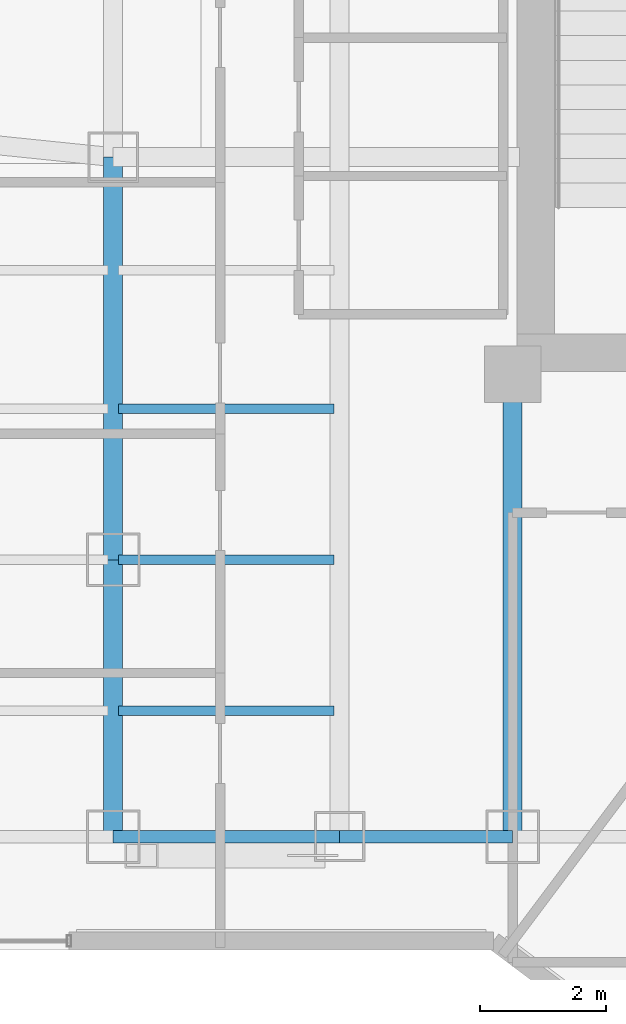
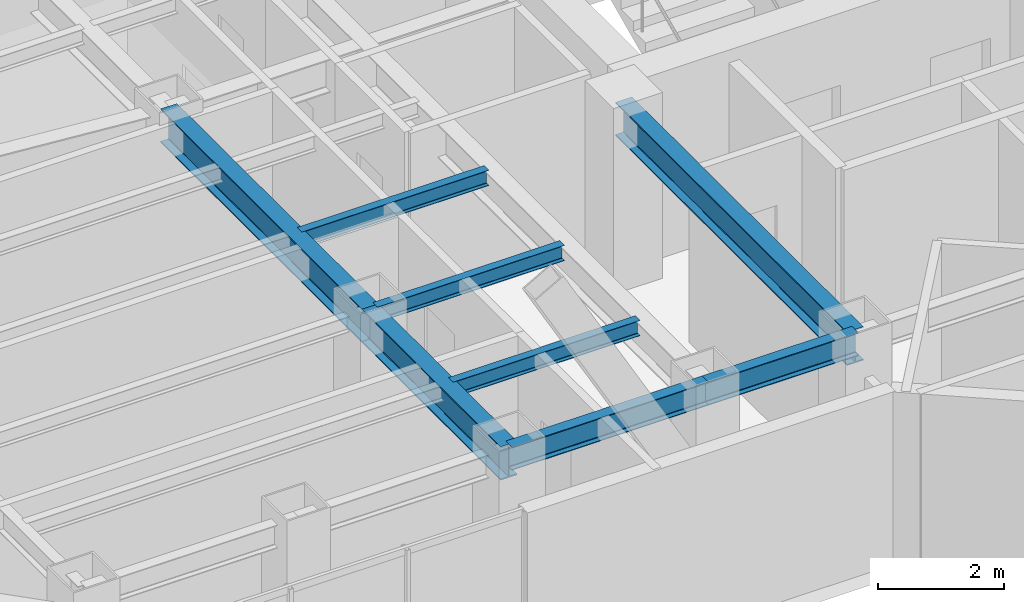
# One storey, part 5 of 29: 8 beams.
"""IFC4 building model written with IfcOpenShell, lengths in metres."""

from ifc_helpers import new_model, si_unit, direction, frame, origin, origin_2d, place, context, subcontext, project, spatial, i_section, extrude, material, material_profile, profile_set, type_object, element, save


model = new_model("IFC4")

# Units and contexts
model_context = context("Model", 3, precision=1e-05, world=origin(), true_north=direction((0.0, 1.0)))
body_context = subcontext(model_context, "Body", "Model", "MODEL_VIEW")
ifc_project = project(units=[si_unit("LENGTHUNIT", "METRE"), si_unit("AREAUNIT", "SQUARE_METRE"), si_unit("VOLUMEUNIT", "CUBIC_METRE"), si_unit("PLANEANGLEUNIT", "RADIAN"), si_unit("MASSUNIT", "GRAM", prefix="KILO")], contexts=[model_context])

# Site, building, storey
site_placement = place(None, origin())
site = spatial("IfcSite", under=ifc_project, at=site_placement, CompositionType="ELEMENT")
building_placement = place(site_placement, origin())
building = spatial("IfcBuilding", under=site, at=building_placement, Name="Hatsunagi Terrace Concourse", CompositionType="ELEMENT")
storey_placement = place(building_placement, frame((0.0, 0.0, 149.25)))
storey = spatial("IfcBuildingStorey", under=building, at=storey_placement, Name="L39", CompositionType="ELEMENT", Elevation=149.25)

# Beams
ifc_material_1 = material(Name="Steel SN490B", Category="steel")
ifc_material_profile_1 = material_profile(ifc_material_1, i_section(OverallWidth=0.14990234375, OverallDepth=0.300048828125, WebThickness=0.006591796875, FlangeThickness=0.009033203125, FilletRadius=0.010986328125, at=origin_2d()), Name="H-300x150x6.5x9")
ifc_profile_set_1 = profile_set([ifc_material_profile_1], Name="Steel SN490B")
beam_type_1 = type_object("IfcBeamType", Name="OfficeJoist_H_300x150", PredefinedType="JOIST", material=ifc_profile_set_1)
for number, where, z_axis, x_axis, name in (
    (1, (19.284912109375, 27.199951171875, 3.199951171875), (1.0, 0.0, 0.0), (0.0, 1.0, 0.0), "Beam J-03 J-L39-W-19-272"),
    (2, (19.284912109375, 29.60009765625, 3.199951171875), (1.0, 0.0, 0.0), (0.0, 1.0, 0.0), "Beam J-03 J-L39-W-19-296"),
    (3, (19.284912109375, 32.0, 3.199951171875), (1.0, 0.0, 0.0), (0.0, 1.0, 0.0), "Beam J-03 J-L39-W-19-320"),
):
    element("IfcBeam", number, at=place(storey_placement, frame(where, z_axis=z_axis, x_axis=x_axis)), inside=storey, type_object=beam_type_1, Name=name, PredefinedType="JOIST", context=body_context, shape_type="SweptSolid", body=[
        extrude(i_section(OverallWidth=0.14990234375, OverallDepth=0.300048828125, WebThickness=0.006591796875, FlangeThickness=0.009033203125, FilletRadius=0.010986328125, at=origin_2d()), origin(), (0.0, 0.0, 1.0), 3.43017578125),
    ])
ifc_material_2 = material(Name="Steel SN490B", Category="steel")
ifc_material_profile_2 = material_profile(ifc_material_2, i_section(OverallWidth=0.300048828125, OverallDepth=0.64990234375, WebThickness=0.012939453125, FlangeThickness=0.02197265625, FilletRadius=0.01806640625, at=origin_2d()), Name="H-650x300x13x22")
ifc_profile_set_2 = profile_set([ifc_material_profile_2], Name="Steel SN490B")
beam_type_2 = type_object("IfcBeamType", Name="OfficeLowGirder_H_650x300", PredefinedType="BEAM", material=ifc_profile_set_2)
beam_1_placement = place(storey_placement, frame((25.550048828125, 25.199951171875, 3.02490234375), z_axis=(0.0, 1.0, 0.0), x_axis=(-1.0, 0.0, 0.0)))
element("IfcBeam", 4, at=beam_1_placement, inside=storey, type_object=beam_type_2, Name="Beam G-05 BM-L39-K1CA", PredefinedType="BEAM", context=body_context, shape_type="SweptSolid", body=[
    extrude(i_section(OverallWidth=0.300048828125, OverallDepth=0.64990234375, WebThickness=0.012939453125, FlangeThickness=0.02197265625, FilletRadius=0.01806640625, at=origin_2d()), origin(), (0.0, 0.0, 1.0), 7.35009765625),
])
beam_2_placement = place(storey_placement, frame((19.199951171875, 25.199951171875, 3.02490234375), z_axis=(0.0, 1.0, 0.0), x_axis=(-1.0, 0.0, 0.0)))
element("IfcBeam", 5, at=beam_2_placement, inside=storey, type_object=beam_type_2, Name="Beam G-05 BM-L39-NS-19-25", PredefinedType="BEAM", context=body_context, shape_type="SweptSolid", body=[
    extrude(i_section(OverallWidth=0.300048828125, OverallDepth=0.64990234375, WebThickness=0.012939453125, FlangeThickness=0.02197265625, FilletRadius=0.01806640625, at=origin_2d()), origin(), (0.0, 0.0, 1.0), 4.400146484375),
])
beam_3_placement = place(storey_placement, frame((19.199951171875, 29.60009765625, 3.02490234375), z_axis=(0.0, 1.0, 0.0), x_axis=(-1.0, 0.0, 0.0)))
element("IfcBeam", 6, at=beam_3_placement, inside=storey, type_object=beam_type_2, Name="Beam G-05 BM-L39-NS-19-29", PredefinedType="BEAM", context=body_context, shape_type="SweptSolid", body=[
    extrude(i_section(OverallWidth=0.300048828125, OverallDepth=0.64990234375, WebThickness=0.012939453125, FlangeThickness=0.02197265625, FilletRadius=0.01806640625, at=origin_2d()), origin(), (0.0, 0.0, 1.0), 6.39990234375),
])
ifc_material_3 = material(Name="Steel SN490B", Category="steel")
ifc_material_profile_3 = material_profile(ifc_material_3, i_section(OverallWidth=0.199951171875, OverallDepth=0.449951171875, WebThickness=0.009033203125, FlangeThickness=0.013916015625, FilletRadius=0.01611328125, at=origin_2d()), Name="H-450x200x9x14")
ifc_profile_set_3 = profile_set([ifc_material_profile_3], Name="Steel SN490B")
beam_type_3 = type_object("IfcBeamType", Name="PerimeterSpandrel_H_450x200", PredefinedType="SPANDREL", material=ifc_profile_set_3)
beam_4_placement = place(storey_placement, frame((19.199951171875, 25.199951171875, 3.125), z_axis=(1.0, 0.0, 0.0), x_axis=(0.0, 1.0, 0.0)))
element("IfcBeam", 7, at=beam_4_placement, inside=storey, type_object=beam_type_3, Name="Beam SP-02 BM-L39-WS-19", PredefinedType="SPANDREL", context=body_context, shape_type="SweptSolid", body=[
    extrude(i_section(OverallWidth=0.199951171875, OverallDepth=0.449951171875, WebThickness=0.009033203125, FlangeThickness=0.013916015625, FilletRadius=0.01611328125, at=origin_2d()), origin(), (0.0, 0.0, 1.0), 3.60009765625),
])
beam_5_placement = place(storey_placement, frame((22.800048828125, 25.199951171875, 3.125), z_axis=(1.0, 0.0, 0.0), x_axis=(0.0, 1.0, 0.0)))
element("IfcBeam", 8, at=beam_5_placement, inside=storey, type_object=beam_type_3, Name="Beam SP-02 BM-L39-WS-22", PredefinedType="SPANDREL", context=body_context, shape_type="SweptSolid", body=[
    extrude(i_section(OverallWidth=0.199951171875, OverallDepth=0.449951171875, WebThickness=0.009033203125, FlangeThickness=0.013916015625, FilletRadius=0.01611328125, at=origin_2d()), origin(), (0.0, 0.0, 1.0), 2.75),
])

save(model, "model.ifc")
